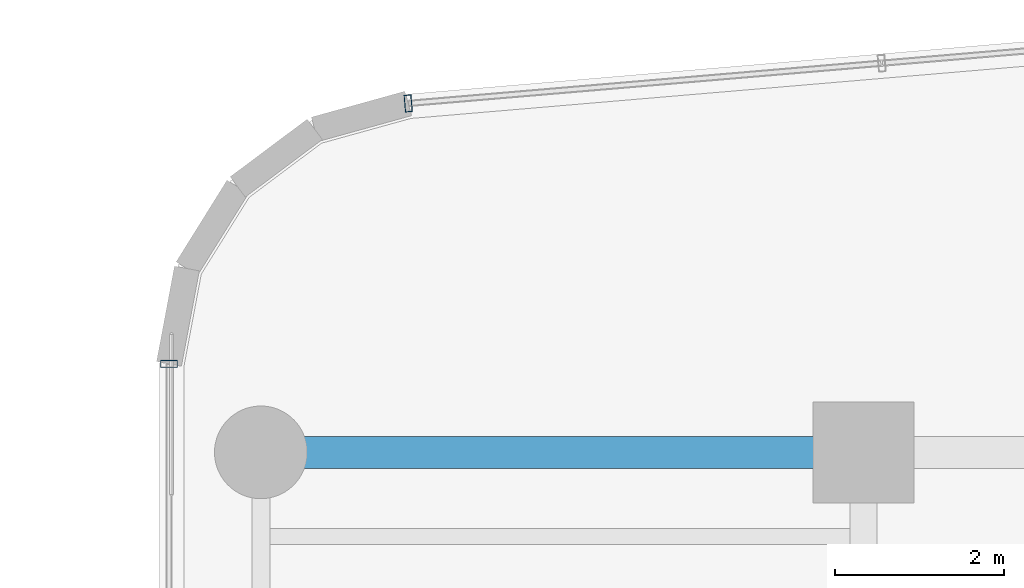
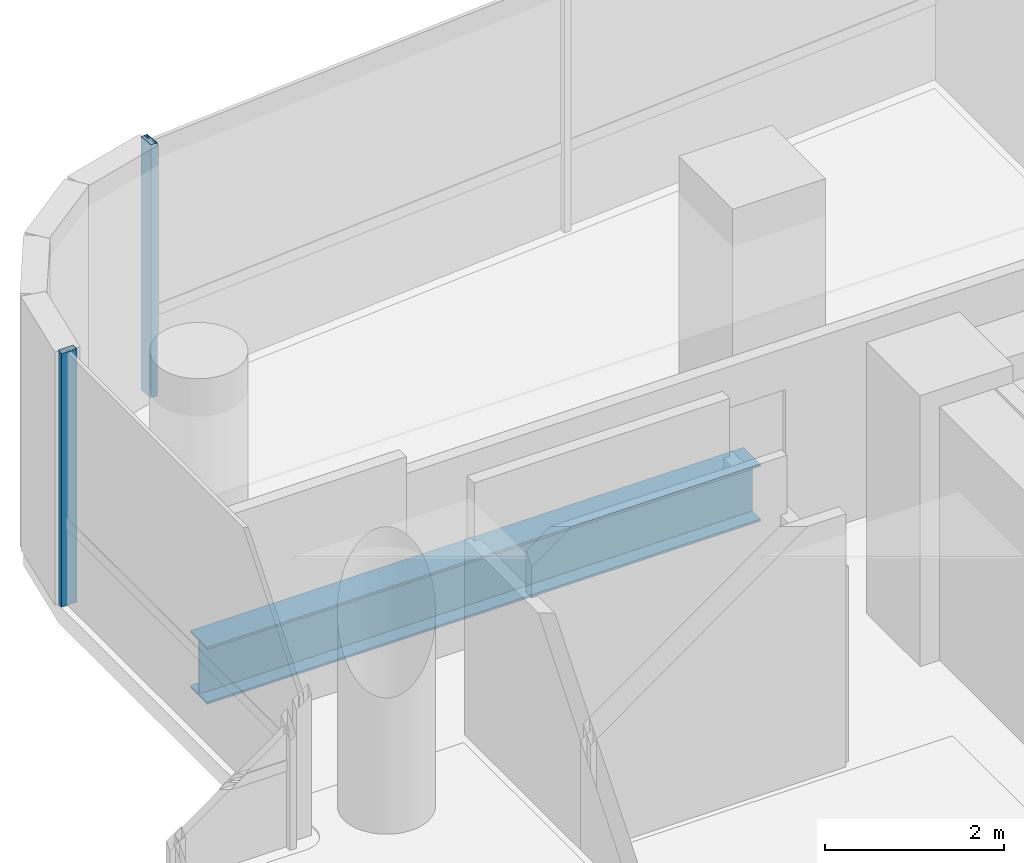
# One storey, part 18 of 34: 2 members, 1 beam, 2 elements without a shape of their own.
"""IFC4 building model written with IfcOpenShell, lengths in metres."""

from ifc_helpers import new_model, si_unit, direction, frame, origin, origin_2d, place, context, subcontext, project, spatial, hollow_rectangle, i_section, extrude, source, transform, mapped, material, material_profile, profile_set, type_object, element, aggregate, save


model = new_model("IFC4")

# Units and contexts
model_context = context("Model", 3, precision=1e-05, world=origin(), true_north=direction((0.0, 1.0)))
body_context = subcontext(model_context, "Body", "Model", "MODEL_VIEW")
ifc_project = project(units=[si_unit("LENGTHUNIT", "METRE"), si_unit("AREAUNIT", "SQUARE_METRE"), si_unit("VOLUMEUNIT", "CUBIC_METRE"), si_unit("PLANEANGLEUNIT", "RADIAN"), si_unit("MASSUNIT", "GRAM", prefix="KILO")], contexts=[model_context])

# Site, building, storey
site_placement = place(None, origin())
site = spatial("IfcSite", under=ifc_project, at=site_placement, CompositionType="ELEMENT")
building_placement = place(site_placement, origin())
building = spatial("IfcBuilding", under=site, at=building_placement, Name="Valdorenza Pilgrim Sanctuary Tower", CompositionType="ELEMENT")
storey_placement = place(building_placement, frame((0.0, 0.0, 142.699951171875)))
storey = spatial("IfcBuildingStorey", under=building, at=storey_placement, Name="L36", CompositionType="ELEMENT", Elevation=142.699951171875)

# Beam
ifc_material_1 = material(Name="Steel ASTM A992 Grade 50", Category="steel")
ifc_material_profile_1 = material_profile(ifc_material_1, i_section(OverallWidth=0.382080078125, OverallDepth=0.779052734375, WebThickness=0.01806640625, FlangeThickness=0.030029296875, at=origin_2d()), Name="W30X191")
ifc_profile_set_1 = profile_set([ifc_material_profile_1], Name="Steel ASTM A992 Grade 50")
beam_type = type_object("IfcBeamType", Name="STR-BM-GRD-W30", PredefinedType="BEAM", material=ifc_profile_set_1)
shared_shape_1 = source(origin(), body_context, "Body", "SweptSolid", [
    extrude(i_section(OverallWidth=0.382080078125, OverallDepth=0.779052734375, WebThickness=0.01806640625, FlangeThickness=0.030029296875, at=origin_2d()), origin(), (0.0, 0.0, 1.0), 7.150146484375),
])
beam_placement = place(storey_placement, frame((-29.800048828125, 14.800048828125, -0.62939453125), z_axis=(1.0, 0.0, 0.0), x_axis=(0.0, 1.0, 0.0)))
element("IfcBeam", 1, at=beam_placement, inside=storey, type_object=beam_type, Name="L36 Floor Girder WA-XW-N2", PredefinedType="BEAM", context=body_context, shape_type="MappedRepresentation", body=[
    mapped(shared_shape_1, transform((0.0, 0.0, 0.0), x_axis=(1.0, 0.0, 0.0), y_axis=(0.0, 1.0, 0.0), z_axis=(0.0, 0.0, 1.0), scale=1.0)),
])

# Curtain wall, member
ifc_material_2 = material(Name="Curtain-wall IGU glazing", Category="glass")
curtain_wall_type = type_object("IfcCurtainWallType", Name="CW-SYS-02", PredefinedType="NOTDEFINED", material=ifc_material_2)
curtain_wall_1_placement = place(storey_placement, origin())
curtain_wall_1 = element("IfcCurtainWall", 2, at=curtain_wall_1_placement, inside=storey, type_object=curtain_wall_type, Name="L36 Curtain Wall CW-L36-1-1S2", PredefinedType="NOTDEFINED")
ifc_material_3 = material(Name="Anodised aluminium AW-6060", Category="aluminium")
ifc_material_profile_2 = material_profile(ifc_material_3, hollow_rectangle(XDim=0.0849609375, YDim=0.199951171875, WallThickness=0.0048828125, at=origin_2d()), Name="ALU-M 200x85x5")
ifc_profile_set_2 = profile_set([ifc_material_profile_2], Name="Anodised aluminium AW-6060")
member_type = type_object("IfcMemberType", Name="CW-MUL-02", PredefinedType="MULLION", material=ifc_profile_set_2)
shared_shape_2 = source(origin(), body_context, "Body", "SweptSolid", [
    extrude(hollow_rectangle(XDim=0.0849609375, YDim=0.199951171875, WallThickness=0.0048828125, at=origin_2d()), origin(), (0.0, 0.0, 1.0), 3.4599609375),
])
member_1_placement = place(storey_placement, frame((-30.889892578125, 15.850341796875, 0.0), z_axis=(0.0, 0.0, 1.0), x_axis=(0.0, 1.0, 0.0)))
member_1 = element("IfcMember", 3, at=member_1_placement, type_object=member_type, Name="CW-L36-1-1S2 Mullion 2", PredefinedType="MULLION", context=body_context, shape_type="MappedRepresentation", body=[
    mapped(shared_shape_2, transform((0.0, 0.0, 0.0), x_axis=(1.0, 0.0, 0.0), y_axis=(0.0, 1.0, 0.0), z_axis=(0.0, 0.0, 1.0), scale=1.0)),
])
aggregate(curtain_wall_1, [member_1])

curtain_wall_2_placement = place(storey_placement, origin())
curtain_wall_2 = element("IfcCurtainWall", 4, at=curtain_wall_2_placement, inside=storey, type_object=curtain_wall_type, Name="L36 Curtain Wall CW-L36-1-6", PredefinedType="NOTDEFINED")
member_2_placement = place(storey_placement, frame((-28.051513671875, 18.940185546875, 0.0), z_axis=(0.0, 0.0, 1.0), x_axis=(0.99640764237, 0.084686541006, 0.0)))
member_2 = element("IfcMember", 5, at=member_2_placement, type_object=member_type, Name="CW-L36-1-6 Mullion 1", PredefinedType="MULLION", context=body_context, shape_type="MappedRepresentation", body=[
    mapped(shared_shape_2, transform((0.0, 0.0, 0.0), x_axis=(1.0, 0.0, 0.0), y_axis=(0.0, 1.0, 0.0), z_axis=(0.0, 0.0, 1.0), scale=1.0)),
])
aggregate(curtain_wall_2, [member_2])

save(model, "model.ifc")
